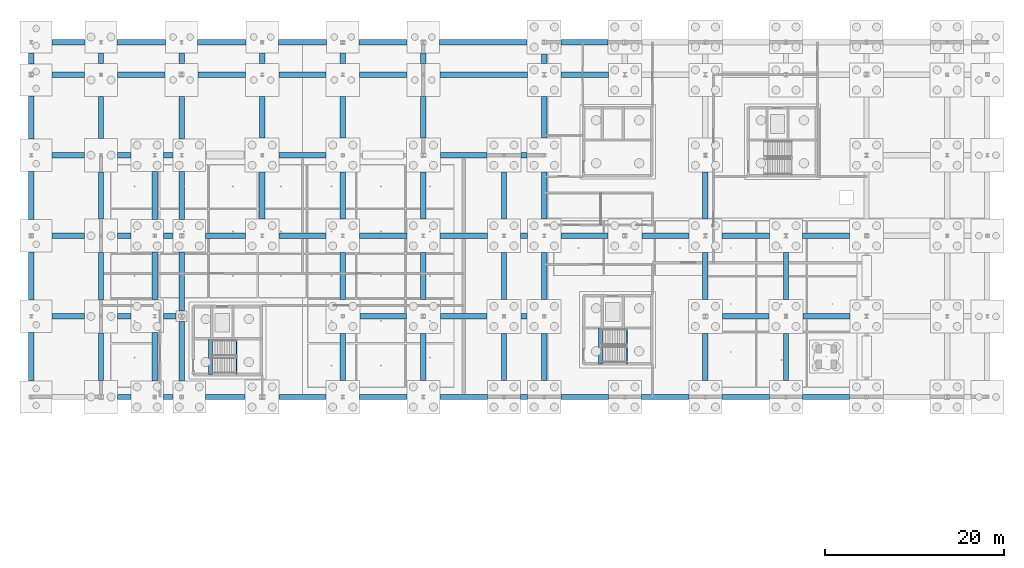
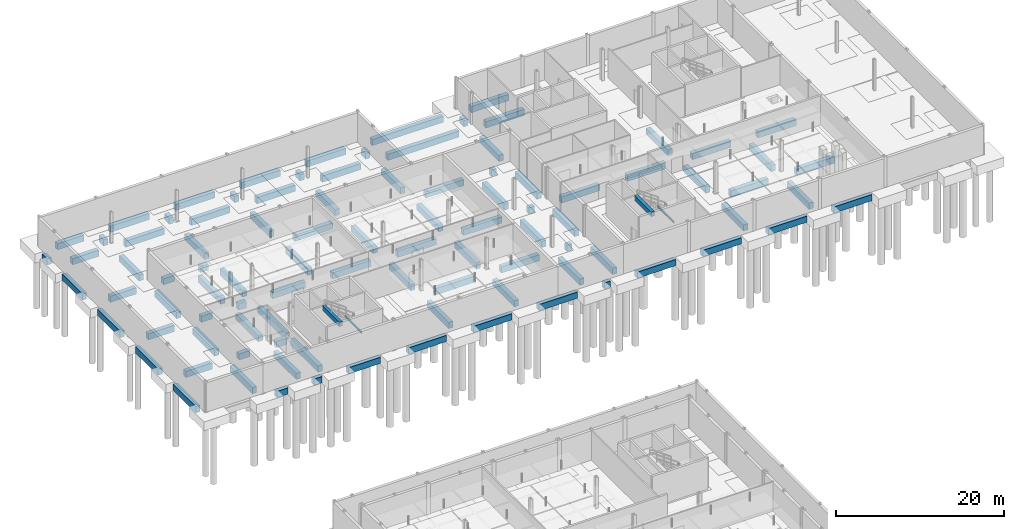
# One storey, part 19 of 48: 99 beams.
"""IFC4 building model written with IfcOpenShell, lengths in metres."""

from ifc_helpers import new_model, si_unit, direction, frame, origin, origin_2d, place, context, subcontext, project, spatial, rectangle, i_section, extrude, material, material_profile, profile_set, type_object, element, save


model = new_model("IFC4")

# Units and contexts
model_context = context("Model", 3, precision=1e-05, world=origin(), true_north=direction((0.0, 1.0)))
body_context = subcontext(model_context, "Body", "Model", "MODEL_VIEW")
ifc_project = project(units=[si_unit("LENGTHUNIT", "METRE"), si_unit("AREAUNIT", "SQUARE_METRE"), si_unit("VOLUMEUNIT", "CUBIC_METRE"), si_unit("PLANEANGLEUNIT", "RADIAN"), si_unit("MASSUNIT", "GRAM", prefix="KILO"), si_unit("THERMODYNAMICTEMPERATUREUNIT", "KELVIN"), si_unit("POWERUNIT", "WATT")], contexts=[model_context])

# Site, building, storey
site_placement = place(None, origin())
site = spatial("IfcSite", under=ifc_project, at=site_placement, CompositionType="ELEMENT")
building_placement = place(site_placement, origin())
building = spatial("IfcBuilding", under=site, at=building_placement, Name="Tallowbark Science Centre", CompositionType="ELEMENT")
storey_placement = place(building_placement, frame((0.0, 0.0, -4.5)))
storey = spatial("IfcBuildingStorey", under=building, at=storey_placement, Name="B1", CompositionType="ELEMENT", Elevation=-4.5)

# Beams
ifc_material_1 = material(Name="Concrete Grade N40 (40 MPa)", Category="concrete")
ifc_material_profile_1 = material_profile(ifc_material_1, rectangle(XDim=0.60009765625, YDim=0.89990234375, at=origin_2d()), Name="RC600x900")
ifc_profile_set_1 = profile_set([ifc_material_profile_1], Name="Concrete Grade N40 (40 MPa)")
beam_type_1 = type_object("IfcBeamType", Name="BM-GB-N40", PredefinedType="BEAM", material=ifc_profile_set_1)
beam_1_placement = place(storey_placement, frame((64.85009765625, 72.0, -0.75), z_axis=(1.0, 0.0, 0.0), x_axis=(0.0, 1.0, 0.0)))
element("IfcBeam", 1, at=beam_1_placement, inside=storey, type_object=beam_type_1, Name="Ground Tie Beam GB-X-55", PredefinedType="BEAM", context=body_context, shape_type="SweptSolid", body=[
    extrude(rectangle(XDim=0.60009765625, YDim=0.89990234375, at=origin_2d()), origin(), (0.0, 0.0, 1.0), 1.5),
])
beam_2_placement = place(storey_placement, frame((69.949951171875, 72.0, -0.75), z_axis=(1.0, 0.0, 0.0), x_axis=(0.0, 1.0, 0.0)))
element("IfcBeam", 2, at=beam_2_placement, inside=storey, type_object=beam_type_1, Name="Ground Tie Beam GB-X-56", PredefinedType="BEAM", context=body_context, shape_type="SweptSolid", body=[
    extrude(rectangle(XDim=0.60009765625, YDim=0.89990234375, at=origin_2d()), origin(), (0.0, 0.0, 1.0), 1.10009765625),
])
beam_3_placement = place(storey_placement, frame((74.64990234375, 72.0, -0.75), z_axis=(1.0, 0.0, 0.0), x_axis=(0.0, 1.0, 0.0)))
element("IfcBeam", 3, at=beam_3_placement, inside=storey, type_object=beam_type_1, Name="Ground Tie Beam GB-X-57", PredefinedType="BEAM", context=body_context, shape_type="SweptSolid", body=[
    extrude(rectangle(XDim=0.60009765625, YDim=0.89990234375, at=origin_2d()), origin(), (0.0, 0.0, 1.0), 4.4501953125),
])
beam_4_placement = place(storey_placement, frame((82.89990234375, 72.0, -0.75), z_axis=(1.0, 0.0, 0.0), x_axis=(0.0, 1.0, 0.0)))
element("IfcBeam", 4, at=beam_4_placement, inside=storey, type_object=beam_type_1, Name="Ground Tie Beam GB-X-58", PredefinedType="BEAM", context=body_context, shape_type="SweptSolid", body=[
    extrude(rectangle(XDim=0.60009765625, YDim=0.89990234375, at=origin_2d()), origin(), (0.0, 0.0, 1.0), 5.25),
])
for number, where, z_axis, x_axis, name in (
    (5, (91.85009765625, 72.0, -0.75), (1.0, 0.0, 0.0), (0.0, 1.0, 0.0), "Ground Tie Beam GB-X-59"),
    (6, (100.85009765625, 72.0, -0.75), (1.0, 0.0, 0.0), (0.0, 1.0, 0.0), "Ground Tie Beam GB-X-60"),
):
    element("IfcBeam", number, at=place(storey_placement, frame(where, z_axis=z_axis, x_axis=x_axis)), inside=storey, type_object=beam_type_1, Name=name, PredefinedType="BEAM", context=body_context, shape_type="SweptSolid", body=[
        extrude(rectangle(XDim=0.60009765625, YDim=0.89990234375, at=origin_2d()), origin(), (0.0, 0.0, 1.0), 5.2998046875),
    ])
beam_5_placement = place(storey_placement, frame((109.85009765625, 72.0, -0.75), z_axis=(1.0, 0.0, 0.0), x_axis=(0.0, 1.0, 0.0)))
element("IfcBeam", 7, at=beam_5_placement, inside=storey, type_object=beam_type_1, Name="Ground Tie Beam GB-X-61", PredefinedType="BEAM", context=body_context, shape_type="SweptSolid", body=[
    extrude(rectangle(XDim=0.60009765625, YDim=0.89990234375, at=origin_2d()), origin(), (0.0, 0.0, 1.0), 0.7998046875),
])
for number, where, z_axis, x_axis, name in (
    (8, (114.35009765625, 72.0, -0.75), (1.0, 0.0, 0.0), (0.0, 1.0, 0.0), "Ground Tie Beam GB-X-62"),
    (9, (123.35009765625, 72.0, -0.75), (1.0, 0.0, 0.0), (0.0, 1.0, 0.0), "Ground Tie Beam GB-X-63"),
    (10, (132.35009765625, 72.0, -0.75), (1.0, 0.0, 0.0), (0.0, 1.0, 0.0), "Ground Tie Beam GB-X-64"),
):
    element("IfcBeam", number, at=place(storey_placement, frame(where, z_axis=z_axis, x_axis=x_axis)), inside=storey, type_object=beam_type_1, Name=name, PredefinedType="BEAM", context=body_context, shape_type="SweptSolid", body=[
        extrude(rectangle(XDim=0.60009765625, YDim=0.89990234375, at=origin_2d()), origin(), (0.0, 0.0, 1.0), 5.2998046875),
    ])
beam_6_placement = place(storey_placement, frame((141.35009765625, 72.0, -0.75), z_axis=(1.0, 0.0, 0.0), x_axis=(0.0, 1.0, 0.0)))
element("IfcBeam", 11, at=beam_6_placement, inside=storey, type_object=beam_type_1, Name="Ground Tie Beam GB-X-65", PredefinedType="BEAM", context=body_context, shape_type="SweptSolid", body=[
    extrude(rectangle(XDim=0.60009765625, YDim=0.89990234375, at=origin_2d()), origin(), (0.0, 0.0, 1.0), 5.25),
])
beam_7_placement = place(storey_placement, frame((57.550048828125, 81.0, -0.75), z_axis=(1.0, 0.0, 0.0), x_axis=(0.0, 1.0, 0.0)))
element("IfcBeam", 12, at=beam_7_placement, inside=storey, type_object=beam_type_1, Name="Ground Tie Beam GB-X-68", PredefinedType="BEAM", context=body_context, shape_type="SweptSolid", body=[
    extrude(rectangle(XDim=0.60009765625, YDim=0.89990234375, at=origin_2d()), origin(), (0.0, 0.0, 1.0), 3.599853515625),
])
beam_8_placement = place(storey_placement, frame((64.85009765625, 81.0, -0.75), z_axis=(1.0, 0.0, 0.0), x_axis=(0.0, 1.0, 0.0)))
element("IfcBeam", 13, at=beam_8_placement, inside=storey, type_object=beam_type_1, Name="Ground Tie Beam GB-X-69", PredefinedType="BEAM", context=body_context, shape_type="SweptSolid", body=[
    extrude(rectangle(XDim=0.60009765625, YDim=0.89990234375, at=origin_2d()), origin(), (0.0, 0.0, 1.0), 1.5),
])
beam_9_placement = place(storey_placement, frame((69.949951171875, 81.0, -0.75), z_axis=(1.0, 0.0, 0.0), x_axis=(0.0, 1.0, 0.0)))
element("IfcBeam", 14, at=beam_9_placement, inside=storey, type_object=beam_type_1, Name="Ground Tie Beam GB-X-70", PredefinedType="BEAM", context=body_context, shape_type="SweptSolid", body=[
    extrude(rectangle(XDim=0.60009765625, YDim=0.89990234375, at=origin_2d()), origin(), (0.0, 0.0, 1.0), 1.449951171875),
])
for number, where, z_axis, x_axis, name in (
    (15, (91.89990234375, 81.0, -0.75), (1.0, 0.0, 0.0), (0.0, 1.0, 0.0), "Ground Tie Beam GB-X-71"),
    (16, (100.89990234375, 81.0, -0.75), (1.0, 0.0, 0.0), (0.0, 1.0, 0.0), "Ground Tie Beam GB-X-72"),
):
    element("IfcBeam", number, at=place(storey_placement, frame(where, z_axis=z_axis, x_axis=x_axis)), inside=storey, type_object=beam_type_1, Name=name, PredefinedType="BEAM", context=body_context, shape_type="SweptSolid", body=[
        extrude(rectangle(XDim=0.60009765625, YDim=0.89990234375, at=origin_2d()), origin(), (0.0, 0.0, 1.0), 5.2001953125),
    ])
beam_10_placement = place(storey_placement, frame((109.89990234375, 81.0, -0.75), z_axis=(1.0, 0.0, 0.0), x_axis=(0.0, 1.0, 0.0)))
element("IfcBeam", 17, at=beam_10_placement, inside=storey, type_object=beam_type_1, Name="Ground Tie Beam GB-X-73", PredefinedType="BEAM", context=body_context, shape_type="SweptSolid", body=[
    extrude(rectangle(XDim=0.60009765625, YDim=0.89990234375, at=origin_2d()), origin(), (0.0, 0.0, 1.0), 0.7001953125),
])
beam_11_placement = place(storey_placement, frame((132.39990234375, 81.0, -0.75), z_axis=(1.0, 0.0, 0.0), x_axis=(0.0, 1.0, 0.0)))
element("IfcBeam", 18, at=beam_11_placement, inside=storey, type_object=beam_type_1, Name="Ground Tie Beam GB-X-74", PredefinedType="BEAM", context=body_context, shape_type="SweptSolid", body=[
    extrude(rectangle(XDim=0.60009765625, YDim=0.89990234375, at=origin_2d()), origin(), (0.0, 0.0, 1.0), 5.2001953125),
])
beam_12_placement = place(storey_placement, frame((141.39990234375, 81.0, -0.75), z_axis=(1.0, 0.0, 0.0), x_axis=(0.0, 1.0, 0.0)))
element("IfcBeam", 19, at=beam_12_placement, inside=storey, type_object=beam_type_1, Name="Ground Tie Beam GB-X-75", PredefinedType="BEAM", context=body_context, shape_type="SweptSolid", body=[
    extrude(rectangle(XDim=0.60009765625, YDim=0.89990234375, at=origin_2d()), origin(), (0.0, 0.0, 1.0), 5.25),
])
beam_13_placement = place(storey_placement, frame((57.550048828125, 90.0, -0.75), z_axis=(1.0, 0.0, 0.0), x_axis=(0.0, 1.0, 0.0)))
element("IfcBeam", 20, at=beam_13_placement, inside=storey, type_object=beam_type_1, Name="Ground Tie Beam GB-X-78", PredefinedType="BEAM", context=body_context, shape_type="SweptSolid", body=[
    extrude(rectangle(XDim=0.60009765625, YDim=0.89990234375, at=origin_2d()), origin(), (0.0, 0.0, 1.0), 3.599853515625),
])
beam_14_placement = place(storey_placement, frame((64.85009765625, 90.0, -0.75), z_axis=(1.0, 0.0, 0.0), x_axis=(0.0, 1.0, 0.0)))
element("IfcBeam", 21, at=beam_14_placement, inside=storey, type_object=beam_type_1, Name="Ground Tie Beam GB-X-79", PredefinedType="BEAM", context=body_context, shape_type="SweptSolid", body=[
    extrude(rectangle(XDim=0.60009765625, YDim=0.89990234375, at=origin_2d()), origin(), (0.0, 0.0, 1.0), 1.5),
])
beam_15_placement = place(storey_placement, frame((69.949951171875, 90.0, -0.75), z_axis=(1.0, 0.0, 0.0), x_axis=(0.0, 1.0, 0.0)))
element("IfcBeam", 22, at=beam_15_placement, inside=storey, type_object=beam_type_1, Name="Ground Tie Beam GB-X-80", PredefinedType="BEAM", context=body_context, shape_type="SweptSolid", body=[
    extrude(rectangle(XDim=0.60009765625, YDim=0.89990234375, at=origin_2d()), origin(), (0.0, 0.0, 1.0), 1.10009765625),
])
beam_16_placement = place(storey_placement, frame((74.64990234375, 90.0, -0.75), z_axis=(1.0, 0.0, 0.0), x_axis=(0.0, 1.0, 0.0)))
element("IfcBeam", 23, at=beam_16_placement, inside=storey, type_object=beam_type_1, Name="Ground Tie Beam GB-X-81", PredefinedType="BEAM", context=body_context, shape_type="SweptSolid", body=[
    extrude(rectangle(XDim=0.60009765625, YDim=0.89990234375, at=origin_2d()), origin(), (0.0, 0.0, 1.0), 4.5),
])
for number, where, z_axis, x_axis, name in (
    (24, (82.85009765625, 90.0, -0.75), (1.0, 0.0, 0.0), (0.0, 1.0, 0.0), "Ground Tie Beam GB-X-82"),
    (25, (91.85009765625, 90.0, -0.75), (1.0, 0.0, 0.0), (0.0, 1.0, 0.0), "Ground Tie Beam GB-X-83"),
    (26, (100.85009765625, 90.0, -0.75), (1.0, 0.0, 0.0), (0.0, 1.0, 0.0), "Ground Tie Beam GB-X-84"),
):
    element("IfcBeam", number, at=place(storey_placement, frame(where, z_axis=z_axis, x_axis=x_axis)), inside=storey, type_object=beam_type_1, Name=name, PredefinedType="BEAM", context=body_context, shape_type="SweptSolid", body=[
        extrude(rectangle(XDim=0.60009765625, YDim=0.89990234375, at=origin_2d()), origin(), (0.0, 0.0, 1.0), 5.2998046875),
    ])
beam_17_placement = place(storey_placement, frame((109.85009765625, 90.0, -0.75), z_axis=(1.0, 0.0, 0.0), x_axis=(0.0, 1.0, 0.0)))
element("IfcBeam", 27, at=beam_17_placement, inside=storey, type_object=beam_type_1, Name="Ground Tie Beam GB-X-85", PredefinedType="BEAM", context=body_context, shape_type="SweptSolid", body=[
    extrude(rectangle(XDim=0.60009765625, YDim=0.89990234375, at=origin_2d()), origin(), (0.0, 0.0, 1.0), 0.7998046875),
])
for number, where, z_axis, x_axis, name in (
    (28, (114.35009765625, 90.0, -0.75), (1.0, 0.0, 0.0), (0.0, 1.0, 0.0), "Ground Tie Beam GB-X-86"),
    (29, (123.39990234375, 90.0, -0.75), (1.0, 0.0, 0.0), (0.0, 1.0, 0.0), "Ground Tie Beam GB-X-87"),
):
    element("IfcBeam", number, at=place(storey_placement, frame(where, z_axis=z_axis, x_axis=x_axis)), inside=storey, type_object=beam_type_1, Name=name, PredefinedType="BEAM", context=body_context, shape_type="SweptSolid", body=[
        extrude(rectangle(XDim=0.60009765625, YDim=0.89990234375, at=origin_2d()), origin(), (0.0, 0.0, 1.0), 5.25),
    ])
beam_18_placement = place(storey_placement, frame((132.35009765625, 90.0, -0.75), z_axis=(1.0, 0.0, 0.0), x_axis=(0.0, 1.0, 0.0)))
element("IfcBeam", 30, at=beam_18_placement, inside=storey, type_object=beam_type_1, Name="Ground Tie Beam GB-X-88", PredefinedType="BEAM", context=body_context, shape_type="SweptSolid", body=[
    extrude(rectangle(XDim=0.60009765625, YDim=0.89990234375, at=origin_2d()), origin(), (0.0, 0.0, 1.0), 5.2998046875),
])
beam_19_placement = place(storey_placement, frame((141.35009765625, 90.0, -0.75), z_axis=(1.0, 0.0, 0.0), x_axis=(0.0, 1.0, 0.0)))
element("IfcBeam", 31, at=beam_19_placement, inside=storey, type_object=beam_type_1, Name="Ground Tie Beam GB-X-89", PredefinedType="BEAM", context=body_context, shape_type="SweptSolid", body=[
    extrude(rectangle(XDim=0.60009765625, YDim=0.89990234375, at=origin_2d()), origin(), (0.0, 0.0, 1.0), 5.25),
])
beam_20_placement = place(storey_placement, frame((57.550048828125, 99.0, -0.75), z_axis=(1.0, 0.0, 0.0), x_axis=(0.0, 1.0, 0.0)))
element("IfcBeam", 32, at=beam_20_placement, inside=storey, type_object=beam_type_1, Name="Ground Tie Beam GB-X-92", PredefinedType="BEAM", context=body_context, shape_type="SweptSolid", body=[
    extrude(rectangle(XDim=0.60009765625, YDim=0.89990234375, at=origin_2d()), origin(), (0.0, 0.0, 1.0), 3.599853515625),
])
beam_21_placement = place(storey_placement, frame((64.85009765625, 99.0, -0.75), z_axis=(1.0, 0.0, 0.0), x_axis=(0.0, 1.0, 0.0)))
element("IfcBeam", 33, at=beam_21_placement, inside=storey, type_object=beam_type_1, Name="Ground Tie Beam GB-X-93", PredefinedType="BEAM", context=body_context, shape_type="SweptSolid", body=[
    extrude(rectangle(XDim=0.60009765625, YDim=0.89990234375, at=origin_2d()), origin(), (0.0, 0.0, 1.0), 1.5),
])
beam_22_placement = place(storey_placement, frame((69.949951171875, 99.0, -0.75), z_axis=(1.0, 0.0, 0.0), x_axis=(0.0, 1.0, 0.0)))
element("IfcBeam", 34, at=beam_22_placement, inside=storey, type_object=beam_type_1, Name="Ground Tie Beam GB-X-94", PredefinedType="BEAM", context=body_context, shape_type="SweptSolid", body=[
    extrude(rectangle(XDim=0.60009765625, YDim=0.89990234375, at=origin_2d()), origin(), (0.0, 0.0, 1.0), 1.10009765625),
])
for number, where, z_axis, x_axis, name in (
    (35, (82.89990234375, 99.0, -0.75), (1.0, 0.0, 0.0), (0.0, 1.0, 0.0), "Ground Tie Beam GB-X-95"),
    (36, (100.89990234375, 99.0, -0.75), (1.0, 0.0, 0.0), (0.0, 1.0, 0.0), "Ground Tie Beam GB-X-96"),
):
    element("IfcBeam", number, at=place(storey_placement, frame(where, z_axis=z_axis, x_axis=x_axis)), inside=storey, type_object=beam_type_1, Name=name, PredefinedType="BEAM", context=body_context, shape_type="SweptSolid", body=[
        extrude(rectangle(XDim=0.60009765625, YDim=0.89990234375, at=origin_2d()), origin(), (0.0, 0.0, 1.0), 5.2001953125),
    ])
beam_23_placement = place(storey_placement, frame((109.89990234375, 99.0, -0.75), z_axis=(1.0, 0.0, 0.0), x_axis=(0.0, 1.0, 0.0)))
element("IfcBeam", 37, at=beam_23_placement, inside=storey, type_object=beam_type_1, Name="Ground Tie Beam GB-X-97", PredefinedType="BEAM", context=body_context, shape_type="SweptSolid", body=[
    extrude(rectangle(XDim=0.60009765625, YDim=0.89990234375, at=origin_2d()), origin(), (0.0, 0.0, 1.0), 0.7001953125),
])
beam_24_placement = place(storey_placement, frame((57.550048828125, 108.0, -0.75), z_axis=(1.0, 0.0, 0.0), x_axis=(0.0, 1.0, 0.0)))
element("IfcBeam", 38, at=beam_24_placement, inside=storey, type_object=beam_type_1, Name="Ground Tie Beam GB-X-100", PredefinedType="BEAM", context=body_context, shape_type="SweptSolid", body=[
    extrude(rectangle(XDim=0.60009765625, YDim=0.89990234375, at=origin_2d()), origin(), (0.0, 0.0, 1.0), 3.599853515625),
])
for number, where, z_axis, x_axis, name in (
    (39, (64.85009765625, 108.0, -0.75), (1.0, 0.0, 0.0), (0.0, 1.0, 0.0), "Ground Tie Beam GB-X-101"),
    (40, (73.85009765625, 108.0, -0.75), (1.0, 0.0, 0.0), (0.0, 1.0, 0.0), "Ground Tie Beam GB-X-102"),
    (41, (82.85009765625, 108.0, -0.75), (1.0, 0.0, 0.0), (0.0, 1.0, 0.0), "Ground Tie Beam GB-X-103"),
    (42, (91.85009765625, 108.0, -0.75), (1.0, 0.0, 0.0), (0.0, 1.0, 0.0), "Ground Tie Beam GB-X-104"),
):
    element("IfcBeam", number, at=place(storey_placement, frame(where, z_axis=z_axis, x_axis=x_axis)), inside=storey, type_object=beam_type_1, Name=name, PredefinedType="BEAM", context=body_context, shape_type="SweptSolid", body=[
        extrude(rectangle(XDim=0.60009765625, YDim=0.89990234375, at=origin_2d()), origin(), (0.0, 0.0, 1.0), 5.2998046875),
    ])
beam_25_placement = place(storey_placement, frame((100.85009765625, 108.0, -0.75), z_axis=(1.0, 0.0, 0.0), x_axis=(0.0, 1.0, 0.0)))
element("IfcBeam", 43, at=beam_25_placement, inside=storey, type_object=beam_type_1, Name="Ground Tie Beam GB-X-105", PredefinedType="BEAM", context=body_context, shape_type="SweptSolid", body=[
    extrude(rectangle(XDim=0.60009765625, YDim=0.89990234375, at=origin_2d()), origin(), (0.0, 0.0, 1.0), 9.7998046875),
])
beam_26_placement = place(storey_placement, frame((114.35009765625, 108.0, -0.75), z_axis=(1.0, 0.0, 0.0), x_axis=(0.0, 1.0, 0.0)))
element("IfcBeam", 44, at=beam_26_placement, inside=storey, type_object=beam_type_1, Name="Ground Tie Beam GB-X-106", PredefinedType="BEAM", context=body_context, shape_type="SweptSolid", body=[
    extrude(rectangle(XDim=0.60009765625, YDim=0.89990234375, at=origin_2d()), origin(), (0.0, 0.0, 1.0), 5.2998046875),
])
beam_27_placement = place(storey_placement, frame((57.550048828125, 111.60009765625, -0.75), z_axis=(1.0, 0.0, 0.0), x_axis=(0.0, 1.0, 0.0)))
element("IfcBeam", 45, at=beam_27_placement, inside=storey, type_object=beam_type_1, Name="Ground Tie Beam GB-X-112", PredefinedType="BEAM", context=body_context, shape_type="SweptSolid", body=[
    extrude(rectangle(XDim=0.60009765625, YDim=0.89990234375, at=origin_2d()), origin(), (0.0, 0.0, 1.0), 3.64990234375),
])
for number, where, z_axis, x_axis, name in (
    (46, (64.800048828125, 111.60009765625, -0.75), (1.0, 0.0, 0.0), (0.0, 1.0, 0.0), "Ground Tie Beam GB-X-113"),
    (47, (73.800048828125, 111.60009765625, -0.75), (1.0, 0.0, 0.0), (0.0, 1.0, 0.0), "Ground Tie Beam GB-X-114"),
    (48, (82.800048828125, 111.60009765625, -0.75), (1.0, 0.0, 0.0), (0.0, 1.0, 0.0), "Ground Tie Beam GB-X-115"),
    (49, (91.800048828125, 111.60009765625, -0.75), (1.0, 0.0, 0.0), (0.0, 1.0, 0.0), "Ground Tie Beam GB-X-116"),
):
    element("IfcBeam", number, at=place(storey_placement, frame(where, z_axis=z_axis, x_axis=x_axis)), inside=storey, type_object=beam_type_1, Name=name, PredefinedType="BEAM", context=body_context, shape_type="SweptSolid", body=[
        extrude(rectangle(XDim=0.60009765625, YDim=0.89990234375, at=origin_2d()), origin(), (0.0, 0.0, 1.0), 5.39990234375),
    ])
beam_28_placement = place(storey_placement, frame((100.800048828125, 111.60009765625, -0.75), z_axis=(1.0, 0.0, 0.0), x_axis=(0.0, 1.0, 0.0)))
element("IfcBeam", 50, at=beam_28_placement, inside=storey, type_object=beam_type_1, Name="Ground Tie Beam GB-X-117", PredefinedType="BEAM", context=body_context, shape_type="SweptSolid", body=[
    extrude(rectangle(XDim=0.60009765625, YDim=0.89990234375, at=origin_2d()), origin(), (0.0, 0.0, 1.0), 9.800048828125),
])
beam_29_placement = place(storey_placement, frame((114.39990234375, 111.60009765625, -0.75), z_axis=(1.0, 0.0, 0.0), x_axis=(0.0, 1.0, 0.0)))
element("IfcBeam", 51, at=beam_29_placement, inside=storey, type_object=beam_type_1, Name="Ground Tie Beam GB-X-118", PredefinedType="BEAM", context=body_context, shape_type="SweptSolid", body=[
    extrude(rectangle(XDim=0.60009765625, YDim=0.89990234375, at=origin_2d()), origin(), (0.0, 0.0, 1.0), 5.2001953125),
])
for number, where, z_axis, x_axis, name in (
    (52, (63.0, 73.85009765625, -0.75), (0.0, 1.0, 0.0), (-1.0, 0.0, 0.0), "Ground Tie Beam GB-Y-164"),
    (53, (63.0, 82.85009765625, -0.75), (0.0, 1.0, 0.0), (-1.0, 0.0, 0.0), "Ground Tie Beam GB-Y-165"),
    (54, (63.0, 91.85009765625, -0.75), (0.0, 1.0, 0.0), (-1.0, 0.0, 0.0), "Ground Tie Beam GB-Y-166"),
):
    element("IfcBeam", number, at=place(storey_placement, frame(where, z_axis=z_axis, x_axis=x_axis)), inside=storey, type_object=beam_type_1, Name=name, PredefinedType="BEAM", context=body_context, shape_type="SweptSolid", body=[
        extrude(rectangle(XDim=0.60009765625, YDim=0.89990234375, at=origin_2d()), origin(), (0.0, 0.0, 1.0), 5.2998046875),
    ])
beam_30_placement = place(storey_placement, frame((63.0, 100.85009765625, -0.75), z_axis=(0.0, 1.0, 0.0), x_axis=(-1.0, 0.0, 0.0)))
element("IfcBeam", 55, at=beam_30_placement, inside=storey, type_object=beam_type_1, Name="Ground Tie Beam GB-Y-167", PredefinedType="BEAM", context=body_context, shape_type="SweptSolid", body=[
    extrude(rectangle(XDim=0.60009765625, YDim=0.89990234375, at=origin_2d()), origin(), (0.0, 0.0, 1.0), 4.699951171875),
])
beam_31_placement = place(storey_placement, frame((63.0, 109.25, -0.75), z_axis=(0.0, 1.0, 0.0), x_axis=(-1.0, 0.0, 0.0)))
element("IfcBeam", 56, at=beam_31_placement, inside=storey, type_object=beam_type_1, Name="Ground Tie Beam GB-Y-168", PredefinedType="BEAM", context=body_context, shape_type="SweptSolid", body=[
    extrude(rectangle(XDim=0.60009765625, YDim=0.89990234375, at=origin_2d()), origin(), (0.0, 0.0, 1.0), 1.14990234375),
])
for number, where, z_axis, x_axis, name in (
    (57, (72.0, 73.800048828125, -0.75), (0.0, 1.0, 0.0), (-1.0, 0.0, 0.0), "Ground Tie Beam GB-Y-169"),
    (58, (72.0, 81.60009765625, -0.75), (0.0, 1.0, 0.0), (-1.0, 0.0, 0.0), "Ground Tie Beam GB-Y-170"),
):
    element("IfcBeam", number, at=place(storey_placement, frame(where, z_axis=z_axis, x_axis=x_axis)), inside=storey, type_object=beam_type_1, Name=name, PredefinedType="BEAM", context=body_context, shape_type="SweptSolid", body=[
        extrude(rectangle(XDim=0.60009765625, YDim=0.89990234375, at=origin_2d()), origin(), (0.0, 0.0, 1.0), 6.599853515625),
    ])
beam_32_placement = place(storey_placement, frame((72.0, 91.800048828125, -0.75), z_axis=(0.0, 1.0, 0.0), x_axis=(-1.0, 0.0, 0.0)))
element("IfcBeam", 59, at=beam_32_placement, inside=storey, type_object=beam_type_1, Name="Ground Tie Beam GB-Y-171", PredefinedType="BEAM", context=body_context, shape_type="SweptSolid", body=[
    extrude(rectangle(XDim=0.60009765625, YDim=0.89990234375, at=origin_2d()), origin(), (0.0, 0.0, 1.0), 5.39990234375),
])
beam_33_placement = place(storey_placement, frame((72.0, 100.800048828125, -0.75), z_axis=(0.0, 1.0, 0.0), x_axis=(-1.0, 0.0, 0.0)))
element("IfcBeam", 60, at=beam_33_placement, inside=storey, type_object=beam_type_1, Name="Ground Tie Beam GB-Y-172", PredefinedType="BEAM", context=body_context, shape_type="SweptSolid", body=[
    extrude(rectangle(XDim=0.60009765625, YDim=0.89990234375, at=origin_2d()), origin(), (0.0, 0.0, 1.0), 4.75),
])
beam_34_placement = place(storey_placement, frame((72.0, 109.25, -0.75), z_axis=(0.0, 1.0, 0.0), x_axis=(-1.0, 0.0, 0.0)))
element("IfcBeam", 61, at=beam_34_placement, inside=storey, type_object=beam_type_1, Name="Ground Tie Beam GB-Y-173", PredefinedType="BEAM", context=body_context, shape_type="SweptSolid", body=[
    extrude(rectangle(XDim=0.60009765625, YDim=0.89990234375, at=origin_2d()), origin(), (0.0, 0.0, 1.0), 1.14990234375),
])
beam_35_placement = place(storey_placement, frame((81.0, 91.85009765625, -0.75), z_axis=(0.0, 1.0, 0.0), x_axis=(-1.0, 0.0, 0.0)))
element("IfcBeam", 62, at=beam_35_placement, inside=storey, type_object=beam_type_1, Name="Ground Tie Beam GB-Y-174", PredefinedType="BEAM", context=body_context, shape_type="SweptSolid", body=[
    extrude(rectangle(XDim=0.60009765625, YDim=0.89990234375, at=origin_2d()), origin(), (0.0, 0.0, 1.0), 5.25),
])
beam_36_placement = place(storey_placement, frame((81.0, 100.89990234375, -0.75), z_axis=(0.0, 1.0, 0.0), x_axis=(-1.0, 0.0, 0.0)))
element("IfcBeam", 63, at=beam_36_placement, inside=storey, type_object=beam_type_1, Name="Ground Tie Beam GB-Y-175", PredefinedType="BEAM", context=body_context, shape_type="SweptSolid", body=[
    extrude(rectangle(XDim=0.60009765625, YDim=0.89990234375, at=origin_2d()), origin(), (0.0, 0.0, 1.0), 4.650146484375),
])
beam_37_placement = place(storey_placement, frame((81.0, 109.25, -0.75), z_axis=(0.0, 1.0, 0.0), x_axis=(-1.0, 0.0, 0.0)))
element("IfcBeam", 64, at=beam_37_placement, inside=storey, type_object=beam_type_1, Name="Ground Tie Beam GB-Y-176", PredefinedType="BEAM", context=body_context, shape_type="SweptSolid", body=[
    extrude(rectangle(XDim=0.60009765625, YDim=0.89990234375, at=origin_2d()), origin(), (0.0, 0.0, 1.0), 1.14990234375),
])
for number, where, z_axis, x_axis, name in (
    (65, (90.0, 73.85009765625, -0.75), (0.0, 1.0, 0.0), (-1.0, 0.0, 0.0), "Ground Tie Beam GB-Y-177"),
    (66, (90.0, 82.89990234375, -0.75), (0.0, 1.0, 0.0), (-1.0, 0.0, 0.0), "Ground Tie Beam GB-Y-178"),
    (67, (90.0, 91.85009765625, -0.75), (0.0, 1.0, 0.0), (-1.0, 0.0, 0.0), "Ground Tie Beam GB-Y-179"),
):
    element("IfcBeam", number, at=place(storey_placement, frame(where, z_axis=z_axis, x_axis=x_axis)), inside=storey, type_object=beam_type_1, Name=name, PredefinedType="BEAM", context=body_context, shape_type="SweptSolid", body=[
        extrude(rectangle(XDim=0.60009765625, YDim=0.89990234375, at=origin_2d()), origin(), (0.0, 0.0, 1.0), 5.25),
    ])
beam_38_placement = place(storey_placement, frame((90.0, 100.89990234375, -0.75), z_axis=(0.0, 1.0, 0.0), x_axis=(-1.0, 0.0, 0.0)))
element("IfcBeam", 68, at=beam_38_placement, inside=storey, type_object=beam_type_1, Name="Ground Tie Beam GB-Y-180", PredefinedType="BEAM", context=body_context, shape_type="SweptSolid", body=[
    extrude(rectangle(XDim=0.60009765625, YDim=0.89990234375, at=origin_2d()), origin(), (0.0, 0.0, 1.0), 4.650146484375),
])
beam_39_placement = place(storey_placement, frame((90.0, 109.25, -0.75), z_axis=(0.0, 1.0, 0.0), x_axis=(-1.0, 0.0, 0.0)))
element("IfcBeam", 69, at=beam_39_placement, inside=storey, type_object=beam_type_1, Name="Ground Tie Beam GB-Y-181", PredefinedType="BEAM", context=body_context, shape_type="SweptSolid", body=[
    extrude(rectangle(XDim=0.60009765625, YDim=0.89990234375, at=origin_2d()), origin(), (0.0, 0.0, 1.0), 1.14990234375),
])
for number, where, z_axis, x_axis, name in (
    (70, (99.0, 73.85009765625, -0.75), (0.0, 1.0, 0.0), (-1.0, 0.0, 0.0), "Ground Tie Beam GB-Y-183"),
    (71, (99.0, 82.89990234375, -0.75), (0.0, 1.0, 0.0), (-1.0, 0.0, 0.0), "Ground Tie Beam GB-Y-184"),
    (72, (99.0, 91.85009765625, -0.75), (0.0, 1.0, 0.0), (-1.0, 0.0, 0.0), "Ground Tie Beam GB-Y-185"),
):
    element("IfcBeam", number, at=place(storey_placement, frame(where, z_axis=z_axis, x_axis=x_axis)), inside=storey, type_object=beam_type_1, Name=name, PredefinedType="BEAM", context=body_context, shape_type="SweptSolid", body=[
        extrude(rectangle(XDim=0.60009765625, YDim=0.89990234375, at=origin_2d()), origin(), (0.0, 0.0, 1.0), 5.25),
    ])
beam_40_placement = place(storey_placement, frame((99.0, 100.89990234375, -0.75), z_axis=(0.0, 1.0, 0.0), x_axis=(-1.0, 0.0, 0.0)))
element("IfcBeam", 73, at=beam_40_placement, inside=storey, type_object=beam_type_1, Name="Ground Tie Beam GB-Y-186", PredefinedType="BEAM", context=body_context, shape_type="SweptSolid", body=[
    extrude(rectangle(XDim=0.60009765625, YDim=0.89990234375, at=origin_2d()), origin(), (0.0, 0.0, 1.0), 4.650146484375),
])
beam_41_placement = place(storey_placement, frame((99.0, 109.25, -0.75), z_axis=(0.0, 1.0, 0.0), x_axis=(-1.0, 0.0, 0.0)))
element("IfcBeam", 74, at=beam_41_placement, inside=storey, type_object=beam_type_1, Name="Ground Tie Beam GB-Y-187", PredefinedType="BEAM", context=body_context, shape_type="SweptSolid", body=[
    extrude(rectangle(XDim=0.60009765625, YDim=0.89990234375, at=origin_2d()), origin(), (0.0, 0.0, 1.0), 1.14990234375),
])
for number, where, z_axis, x_axis, name in (
    (75, (55.199951171875, 73.800048828125, -0.75), (0.0, 1.0, 0.0), (-1.0, 0.0, 0.0), "Ground Tie Beam GB-Y-199"),
    (76, (55.199951171875, 82.800048828125, -0.75), (0.0, 1.0, 0.0), (-1.0, 0.0, 0.0), "Ground Tie Beam GB-Y-200"),
    (77, (55.199951171875, 91.800048828125, -0.75), (0.0, 1.0, 0.0), (-1.0, 0.0, 0.0), "Ground Tie Beam GB-Y-201"),
):
    element("IfcBeam", number, at=place(storey_placement, frame(where, z_axis=z_axis, x_axis=x_axis)), inside=storey, type_object=beam_type_1, Name=name, PredefinedType="BEAM", context=body_context, shape_type="SweptSolid", body=[
        extrude(rectangle(XDim=0.60009765625, YDim=0.89990234375, at=origin_2d()), origin(), (0.0, 0.0, 1.0), 5.39990234375),
    ])
beam_42_placement = place(storey_placement, frame((55.199951171875, 100.800048828125, -0.75), z_axis=(0.0, 1.0, 0.0), x_axis=(-1.0, 0.0, 0.0)))
element("IfcBeam", 78, at=beam_42_placement, inside=storey, type_object=beam_type_1, Name="Ground Tie Beam GB-Y-202", PredefinedType="BEAM", context=body_context, shape_type="SweptSolid", body=[
    extrude(rectangle(XDim=0.60009765625, YDim=0.89990234375, at=origin_2d()), origin(), (0.0, 0.0, 1.0), 4.800048828125),
])
beam_43_placement = place(storey_placement, frame((55.199951171875, 109.199951171875, -0.75), z_axis=(0.0, 1.0, 0.0), x_axis=(-1.0, 0.0, 0.0)))
element("IfcBeam", 79, at=beam_43_placement, inside=storey, type_object=beam_type_1, Name="Ground Tie Beam GB-Y-203", PredefinedType="BEAM", context=body_context, shape_type="SweptSolid", body=[
    extrude(rectangle(XDim=0.60009765625, YDim=0.89990234375, at=origin_2d()), origin(), (0.0, 0.0, 1.0), 1.199951171875),
])
for number, where, z_axis, x_axis, name in (
    (80, (69.0, 73.800048828125, -0.75), (0.0, 1.0, 0.0), (-1.0, 0.0, 0.0), "Ground Tie Beam GB-Y-204"),
    (81, (69.0, 82.800048828125, -0.75), (0.0, 1.0, 0.0), (-1.0, 0.0, 0.0), "Ground Tie Beam GB-Y-205"),
    (82, (69.0, 91.800048828125, -0.75), (0.0, 1.0, 0.0), (-1.0, 0.0, 0.0), "Ground Tie Beam GB-Y-206"),
):
    element("IfcBeam", number, at=place(storey_placement, frame(where, z_axis=z_axis, x_axis=x_axis)), inside=storey, type_object=beam_type_1, Name=name, PredefinedType="BEAM", context=body_context, shape_type="SweptSolid", body=[
        extrude(rectangle(XDim=0.60009765625, YDim=0.89990234375, at=origin_2d()), origin(), (0.0, 0.0, 1.0), 5.39990234375),
    ])
for number, where, z_axis, x_axis, name in (
    (83, (108.0, 73.85009765625, -0.75), (0.0, 1.0, 0.0), (-1.0, 0.0, 0.0), "Ground Tie Beam GB-Y-207"),
    (84, (108.0, 82.89990234375, -0.75), (0.0, 1.0, 0.0), (-1.0, 0.0, 0.0), "Ground Tie Beam GB-Y-208"),
    (85, (108.0, 91.85009765625, -0.75), (0.0, 1.0, 0.0), (-1.0, 0.0, 0.0), "Ground Tie Beam GB-Y-209"),
    (86, (112.5, 73.85009765625, -0.75), (0.0, 1.0, 0.0), (-1.0, 0.0, 0.0), "Ground Tie Beam GB-Y-210"),
    (87, (112.5, 82.89990234375, -0.75), (0.0, 1.0, 0.0), (-1.0, 0.0, 0.0), "Ground Tie Beam GB-Y-211"),
    (88, (112.5, 91.85009765625, -0.75), (0.0, 1.0, 0.0), (-1.0, 0.0, 0.0), "Ground Tie Beam GB-Y-212"),
):
    element("IfcBeam", number, at=place(storey_placement, frame(where, z_axis=z_axis, x_axis=x_axis)), inside=storey, type_object=beam_type_1, Name=name, PredefinedType="BEAM", context=body_context, shape_type="SweptSolid", body=[
        extrude(rectangle(XDim=0.60009765625, YDim=0.89990234375, at=origin_2d()), origin(), (0.0, 0.0, 1.0), 5.25),
    ])
beam_44_placement = place(storey_placement, frame((112.5, 100.89990234375, -0.75), z_axis=(0.0, 1.0, 0.0), x_axis=(-1.0, 0.0, 0.0)))
element("IfcBeam", 89, at=beam_44_placement, inside=storey, type_object=beam_type_1, Name="Ground Tie Beam GB-Y-213", PredefinedType="BEAM", context=body_context, shape_type="SweptSolid", body=[
    extrude(rectangle(XDim=0.60009765625, YDim=0.89990234375, at=origin_2d()), origin(), (0.0, 0.0, 1.0), 4.650146484375),
])
beam_45_placement = place(storey_placement, frame((112.5, 109.25, -0.75), z_axis=(0.0, 1.0, 0.0), x_axis=(-1.0, 0.0, 0.0)))
element("IfcBeam", 90, at=beam_45_placement, inside=storey, type_object=beam_type_1, Name="Ground Tie Beam GB-Y-214", PredefinedType="BEAM", context=body_context, shape_type="SweptSolid", body=[
    extrude(rectangle(XDim=0.60009765625, YDim=0.89990234375, at=origin_2d()), origin(), (0.0, 0.0, 1.0), 1.050048828125),
])
for number, where, z_axis, x_axis, name in (
    (91, (130.5, 73.85009765625, -0.75), (0.0, 1.0, 0.0), (-1.0, 0.0, 0.0), "Ground Tie Beam GB-Y-216"),
    (92, (130.5, 82.89990234375, -0.75), (0.0, 1.0, 0.0), (-1.0, 0.0, 0.0), "Ground Tie Beam GB-Y-217"),
    (93, (130.5, 91.85009765625, -0.75), (0.0, 1.0, 0.0), (-1.0, 0.0, 0.0), "Ground Tie Beam GB-Y-218"),
    (94, (139.5, 73.85009765625, -0.75), (0.0, 1.0, 0.0), (-1.0, 0.0, 0.0), "Ground Tie Beam GB-Y-221"),
    (95, (139.5, 82.89990234375, -0.75), (0.0, 1.0, 0.0), (-1.0, 0.0, 0.0), "Ground Tie Beam GB-Y-222"),
):
    element("IfcBeam", number, at=place(storey_placement, frame(where, z_axis=z_axis, x_axis=x_axis)), inside=storey, type_object=beam_type_1, Name=name, PredefinedType="BEAM", context=body_context, shape_type="SweptSolid", body=[
        extrude(rectangle(XDim=0.60009765625, YDim=0.89990234375, at=origin_2d()), origin(), (0.0, 0.0, 1.0), 5.25),
    ])
ifc_material_profile_2 = material_profile(ifc_material_1, rectangle(XDim=0.449951171875, YDim=0.64990234375, at=origin_2d()), Name="RC450x650")
ifc_profile_set_2 = profile_set([ifc_material_profile_2], Name="Concrete Grade N40 (40 MPa)")
beam_type_2 = type_object("IfcBeamType", Name="BM-GB2-N40", PredefinedType="BEAM", material=ifc_profile_set_2)
for number, where, z_axis, x_axis, name in (
    (96, (75.2099609375, 74.5, 4.175048828125), (0.0, 1.0, 0.0), (-1.0, 0.0, 0.0), "Stair ST-01 Landing Nosing Beam B1"),
    (97, (118.81005859375, 75.699951171875, 4.175048828125), (0.0, 1.0, 0.0), (-1.0, 0.0, 0.0), "Stair ST-02 Landing Nosing Beam B1"),
):
    element("IfcBeam", number, at=place(storey_placement, frame(where, z_axis=z_axis, x_axis=x_axis)), inside=storey, type_object=beam_type_2, Name=name, PredefinedType="BEAM", context=body_context, shape_type="SweptSolid", body=[
        extrude(rectangle(XDim=0.449951171875, YDim=0.64990234375, at=origin_2d()), origin(), (0.0, 0.0, 1.0), 3.9951171875),
    ])
ifc_material_2 = material(Name="Structural Steel Grade 300PLUS (300 MPa)", Category="steel")
ifc_material_profile_3 = material_profile(ifc_material_2, i_section(OverallWidth=0.146484375, OverallDepth=0.256103515625, WebThickness=0.00634765625, FlangeThickness=0.010986328125, FilletRadius=0.0087890625, at=origin_2d()), Name="250UB37.3")
ifc_profile_set_3 = profile_set([ifc_material_profile_3], Name="Structural Steel Grade 300PLUS (300 MPa)")
beam_type_3 = type_object("IfcBeamType", Name="JST-UB250", PredefinedType="JOIST", material=ifc_profile_set_3)
for number, where, z_axis, x_axis, name in (
    (98, (78.125, 74.5, 1.921875), (0.0, 1.0, 0.0), (-1.0, 0.0, 0.0), "Stair ST-01 Half-Landing Trimmer B1"),
    (99, (121.72509765625, 75.699951171875, 1.921875), (0.0, 1.0, 0.0), (-1.0, 0.0, 0.0), "Stair ST-02 Half-Landing Trimmer B1"),
):
    element("IfcBeam", number, at=place(storey_placement, frame(where, z_axis=z_axis, x_axis=x_axis)), inside=storey, type_object=beam_type_3, Name=name, PredefinedType="JOIST", context=body_context, shape_type="SweptSolid", body=[
        extrude(i_section(OverallWidth=0.146484375, OverallDepth=0.256103515625, WebThickness=0.00634765625, FlangeThickness=0.010986328125, FilletRadius=0.0087890625, at=origin_2d()), origin(), (0.0, 0.0, 1.0), 3.9951171875),
    ])

save(model, "model.ifc")
